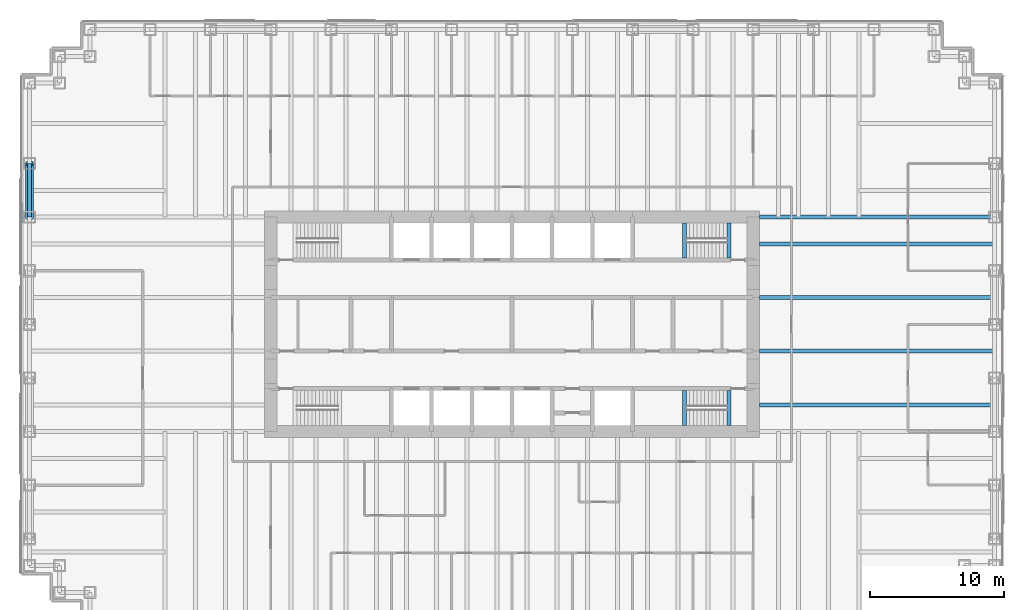
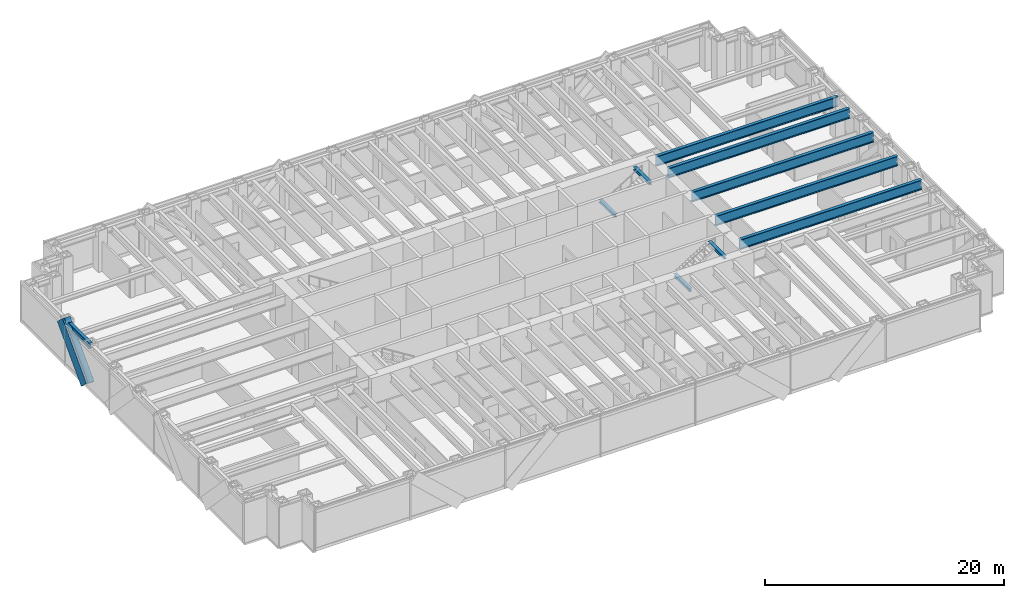
# One storey, part 5 of 16: 10 beams, 2 members, 1 element without a shape of its own.
"""IFC4 building model written with IfcOpenShell, lengths in metres."""

from ifc_helpers import new_model, si_unit, direction, frame, origin, origin_2d, place, context, subcontext, project, spatial, rectangle, hollow_circle, i_section, extrude, material, material_profile, profile_set, type_object, element, aggregate, save


model = new_model("IFC4")

# Units and contexts
model_context = context("Model", 3, precision=1e-05, world=origin(), true_north=direction((0.0, 1.0)))
body_context = subcontext(model_context, "Body", "Model", "MODEL_VIEW")
ifc_project = project(units=[si_unit("LENGTHUNIT", "METRE"), si_unit("AREAUNIT", "SQUARE_METRE"), si_unit("VOLUMEUNIT", "CUBIC_METRE"), si_unit("PLANEANGLEUNIT", "RADIAN"), si_unit("MASSUNIT", "GRAM", prefix="KILO")], contexts=[model_context])

# Site, building, storey
site_placement = place(None, origin())
site = spatial("IfcSite", under=ifc_project, at=site_placement, CompositionType="ELEMENT")
building_placement = place(site_placement, origin())
building = spatial("IfcBuilding", under=site, at=building_placement, Name="Rheinbord Bourse Tower", CompositionType="ELEMENT")
storey_placement = place(building_placement, frame((0.0, 0.0, 171.89990234375)))
storey = spatial("IfcBuildingStorey", under=building, at=storey_placement, Name="L38", CompositionType="ELEMENT", Elevation=171.89990234375)

# Curtain wall, member
ifc_material_1 = material(Name="Dark glass and black aluminium", Category="aluminium")
curtain_wall_type = type_object("IfcCurtainWallType", Name="CW2 DARK GLASS CURTAIN WALL", PredefinedType="USERDEFINED", material=ifc_material_1)
curtain_wall_placement = place(storey_placement, origin())
curtain_wall = element("IfcCurtainWall", 1, at=curtain_wall_placement, inside=storey, type_object=curtain_wall_type, Name="Curtain wall CW2 W L38", ObjectType="UNITISED CURTAIN WALL", PredefinedType="USERDEFINED")
ifc_material_2 = material(Name="Black anodised aluminium", Category="aluminium")
ifc_material_profile_1 = material_profile(ifc_material_2, rectangle(XDim=0.159912109375, YDim=1.2099609375, at=origin_2d()), Name="CW2 DIAGONAL MULLION 1210x160")
ifc_profile_set_1 = profile_set([ifc_material_profile_1], Name="Black anodised aluminium")
member_type_1 = type_object("IfcMemberType", Name="CW2 BLACK DIAGONAL MULLION", PredefinedType="USERDEFINED", material=ifc_profile_set_1)
member_1_placement = place(storey_placement, frame((-0.60009765625, 32.0, 0.0), z_axis=(0.0, 0.689638355374, 0.72415394689), x_axis=(-1.0, 0.0, 0.0)))
member_1 = element("IfcMember", 2, at=member_1_placement, type_object=member_type_1, Name="CW2 diagonal mullion c", ObjectType="DIAGONAL MULLION", PredefinedType="USERDEFINED", context=body_context, shape_type="SweptSolid", body=[
    extrude(rectangle(XDim=0.159912109375, YDim=1.2099609375, at=origin_2d()), origin(), (0.0, 0.0, 1.0), 5.800048828125),
])
aggregate(curtain_wall, [member_1])

# Beams
ifc_material_3 = material(Name="Steel S460", Category="steel")
ifc_material_profile_2 = material_profile(ifc_material_3, i_section(OverallWidth=0.302001953125, OverallDepth=1.008056640625, WebThickness=0.02099609375, FlangeThickness=0.0400390625, at=origin_2d()), Name="HEM 1000")
ifc_profile_set_2 = profile_set([ifc_material_profile_2], Name="Steel S460")
beam_type_1 = type_object("IfcBeamType", Name="END BEAM HEM 1000", PredefinedType="BEAM", material=ifc_profile_set_2)
for number, where, z_axis, x_axis, name in (
    (3, (54.449951171875, 18.0, 3.5361328125), (1.0, 0.0, 0.0), (0.0, 1.0, 0.0), "End beam east 18 L39"),
    (4, (54.449951171875, 22.0, 3.5361328125), (1.0, 0.0, 0.0), (0.0, 1.0, 0.0), "End beam east 22 L39"),
    (5, (54.449951171875, 26.0, 3.5361328125), (1.0, 0.0, 0.0), (0.0, 1.0, 0.0), "End beam east 26 L39"),
    (6, (54.449951171875, 30.0, 3.5361328125), (1.0, 0.0, 0.0), (0.0, 1.0, 0.0), "End beam east 30 L39"),
):
    element("IfcBeam", number, at=place(storey_placement, frame(where, z_axis=z_axis, x_axis=x_axis)), inside=storey, type_object=beam_type_1, Name=name, PredefinedType="BEAM", context=body_context, shape_type="SweptSolid", body=[
        extrude(i_section(OverallWidth=0.302001953125, OverallDepth=1.008056640625, WebThickness=0.02099609375, FlangeThickness=0.0400390625, at=origin_2d()), origin(), (0.0, 0.0, 1.0), 17.550048828125),
    ])
ifc_material_4 = material(Name="Steel S460", Category="steel")
ifc_material_profile_3 = material_profile(ifc_material_4, i_section(OverallWidth=0.302001953125, OverallDepth=1.008056640625, WebThickness=0.02099609375, FlangeThickness=0.0400390625, at=origin_2d()), Name="HEM 1000")
ifc_profile_set_3 = profile_set([ifc_material_profile_3], Name="Steel S460")
beam_type_2 = type_object("IfcBeamType", Name="GIRDER HEM 1000", PredefinedType="BEAM", material=ifc_profile_set_3)
beam_1_placement = place(storey_placement, frame((54.449951171875, 32.0, 3.5361328125), z_axis=(1.0, 0.0, 0.0), x_axis=(0.0, 1.0, 0.0)))
element("IfcBeam", 7, at=beam_1_placement, inside=storey, type_object=beam_type_2, Name="Girder east 32 L39", PredefinedType="BEAM", context=body_context, shape_type="SweptSolid", body=[
    extrude(i_section(OverallWidth=0.302001953125, OverallDepth=1.008056640625, WebThickness=0.02099609375, FlangeThickness=0.0400390625, at=origin_2d()), origin(), (0.0, 0.0, 1.0), 17.550048828125),
])
ifc_material_5 = material(Name="Steel S460", Category="steel")
ifc_material_profile_4 = material_profile(ifc_material_5, i_section(OverallWidth=0.300048828125, OverallDepth=0.300048828125, WebThickness=0.010986328125, FlangeThickness=0.01904296875, at=origin_2d()), Name="HEB 300")
ifc_profile_set_4 = profile_set([ifc_material_profile_4], Name="Steel S460")
beam_type_3 = type_object("IfcBeamType", Name="LANDING TRIMMER HEB 300", PredefinedType="BEAM", material=ifc_profile_set_4)
for number, where, z_axis, x_axis, name in (
    (8, (48.8701171875, 16.449951171875, 1.75), (0.0, 1.0, 0.0), (-1.0, 0.0, 0.0), "Landing trimmer ST3 L38"),
    (9, (52.199951171875, 16.449951171875, 3.89013671875), (0.0, 1.0, 0.0), (-1.0, 0.0, 0.0), "Well trimmer ST3 under L39"),
    (10, (48.8701171875, 28.949951171875, 1.75), (0.0, 1.0, 0.0), (-1.0, 0.0, 0.0), "Landing trimmer ST4 L38"),
    (11, (52.199951171875, 28.949951171875, 3.89013671875), (0.0, 1.0, 0.0), (-1.0, 0.0, 0.0), "Well trimmer ST4 under L39"),
):
    element("IfcBeam", number, at=place(storey_placement, frame(where, z_axis=z_axis, x_axis=x_axis)), inside=storey, type_object=beam_type_3, Name=name, PredefinedType="BEAM", context=body_context, shape_type="SweptSolid", body=[
        extrude(i_section(OverallWidth=0.300048828125, OverallDepth=0.300048828125, WebThickness=0.010986328125, FlangeThickness=0.01904296875, at=origin_2d()), origin(), (0.0, 0.0, 1.0), 2.60009765625),
    ])

# Member
ifc_material_6 = material(Name="Steel S460", Category="steel")
ifc_material_profile_5 = material_profile(ifc_material_6, hollow_circle(Radius=0.304931640625, WallThickness=0.0400390625, at=origin_2d()), Name="CHS 610x40")
ifc_profile_set_5 = profile_set([ifc_material_profile_5], Name="Steel S460")
member_type_2 = type_object("IfcMemberType", Name="MEGABRACE CHS 610x40", PredefinedType="BRACE", material=ifc_profile_set_5)
member_2_placement = place(storey_placement, frame((0.0, 32.0, 0.0), z_axis=(0.0, 0.689638355374, 0.72415394689), x_axis=(-1.0, 0.0, 0.0)))
element("IfcMember", 12, at=member_2_placement, inside=storey, type_object=member_type_2, Name="Megabrace W face line c L38", PredefinedType="BRACE", context=body_context, shape_type="SweptSolid", body=[
    extrude(hollow_circle(Radius=0.304931640625, WallThickness=0.0400390625, at=origin_2d()), origin(), (0.0, 0.0, 1.0), 5.800048828125),
])

# Beam
ifc_material_7 = material(Name="Steel S460", Category="steel")
ifc_material_profile_6 = material_profile(ifc_material_7, i_section(OverallWidth=0.305908203125, OverallDepth=0.572021484375, WebThickness=0.02099609375, FlangeThickness=0.0400390625, at=origin_2d()), Name="HEM 550")
ifc_profile_set_6 = profile_set([ifc_material_profile_6], Name="Steel S460")
beam_type_4 = type_object("IfcBeamType", Name="SPANDREL HEM 550", PredefinedType="SPANDREL", material=ifc_profile_set_6)
beam_2_placement = place(storey_placement, frame((0.0, 36.0, 3.754150390625), z_axis=(0.0, -1.0, 0.0), x_axis=(1.0, 0.0, 0.0)))
element("IfcBeam", 13, at=beam_2_placement, inside=storey, type_object=beam_type_4, Name="Spandrel W-36-W-32 under L39", PredefinedType="SPANDREL", context=body_context, shape_type="SweptSolid", body=[
    extrude(i_section(OverallWidth=0.305908203125, OverallDepth=0.572021484375, WebThickness=0.02099609375, FlangeThickness=0.0400390625, at=origin_2d()), origin(), (0.0, 0.0, 1.0), 4.0),
])

save(model, "model.ifc")
